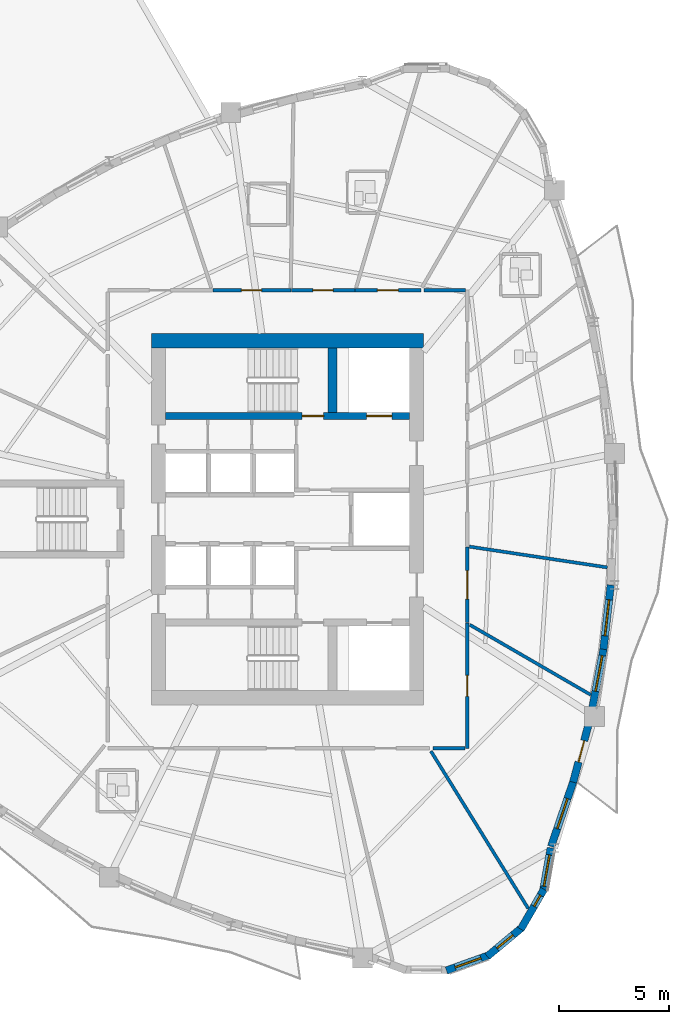
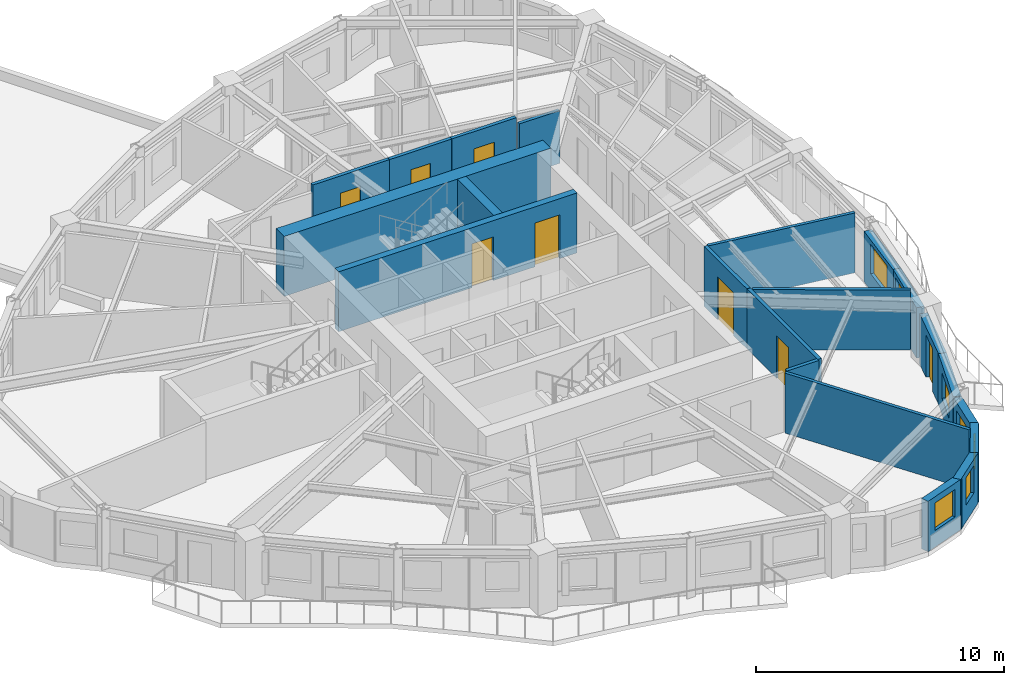
# One storey, part 6 of 13: 21 walls, 8 doors, 7 windows, 15 openings.
"""IFC4 building model written with IfcOpenShell, lengths in metres."""

from ifc_helpers import new_model, si_unit, direction, frame, frame_2d, origin, place, context, subcontext, project, spatial, rectangle, extrude, source, transform, mapped, material, layer, layer_set, type_object, element, fill, save


model = new_model("IFC4")

# Units and contexts
model_context = context("Model", 3, precision=1e-05, world=origin(), true_north=direction((0.0, 1.0)))
body_context = subcontext(model_context, "Body", "Model", "MODEL_VIEW")
ifc_project = project(units=[si_unit("LENGTHUNIT", "METRE"), si_unit("AREAUNIT", "SQUARE_METRE"), si_unit("VOLUMEUNIT", "CUBIC_METRE"), si_unit("PLANEANGLEUNIT", "RADIAN"), si_unit("MASSUNIT", "GRAM", prefix="KILO")], contexts=[model_context])

# Site, building, storey
site_placement = place(None, origin())
site = spatial("IfcSite", under=ifc_project, at=site_placement, CompositionType="ELEMENT")
building_placement = place(site_placement, origin())
building = spatial("IfcBuilding", under=site, at=building_placement, Name="Qafzar Sky-Pleat Residences", CompositionType="ELEMENT")
storey_placement = place(building_placement, frame((0.0, 0.0, 89.60009765625)))
storey = spatial("IfcBuildingStorey", under=building, at=storey_placement, Name="L26", CompositionType="ELEMENT", Elevation=89.60009765625)

# Wall, opening, door
ifc_material_1 = material(Name="Acoustic gypsum plasterboard partition", Category="gypsum")
ifc_layer_1 = layer(ifc_material_1, 0.159912109375)
ifc_layer_set_1 = layer_set([ifc_layer_1], Name="Acoustic gypsum plasterboard partition")
wall_type_1 = type_object("IfcWallType", Name="PART-COR-160", PredefinedType="PARTITIONING", material=ifc_layer_set_1)
wall_1_placement = place(storey_placement, frame((38.530029296875, 21.281005859375, 0.0), z_axis=(0.0, 0.0, 1.0), x_axis=(0.0, -1.0, 0.0)))
wall_1 = element("IfcWall", 1, at=wall_1_placement, inside=storey, type_object=wall_type_1, Name="L26 Partition Wall PART-L26-PW-002", PredefinedType="PARTITIONING", context=body_context, shape_type="SweptSolid", body=[
    extrude(rectangle(XDim=5.7109375, YDim=0.159912109375, at=frame_2d((2.85546875, 0.0))), origin(), (0.0, 0.0, 1.0), 2.949951171875),
])
opening_1_placement = place(wall_1_placement, frame((2.384033203125, 0.0, 0.0)))
opening_1 = element("IfcOpeningElement", 2, at=opening_1_placement, cuts=wall_1, Name="Opening ID-06", PredefinedType="OPENING", context=body_context, shape_type="SweptSolid", body=[
    extrude(rectangle(XDim=0.9599609375, YDim=2.10009765625, at=frame_2d((0.47998046875, 1.050048828125))), frame((0.0, 0.08984375, 0.0), z_axis=(0.0, -1.0, 0.0), x_axis=(1.0, 0.0, 0.0)), (0.0, 0.0, 1.0), 0.179931640625),
])
ifc_material_2 = material(Name="Timber-faced fire door", Category="wood")
door_type_1 = type_object("IfcDoorType", Name="DR-STD-960", OperationType="NOTDEFINED", PredefinedType="DOOR", material=ifc_material_2)
shared_shape_1 = source(origin(), body_context, "Body", "SweptSolid", [
    extrude(rectangle(XDim=0.9599609375, YDim=2.10009765625, at=frame_2d((0.47998046875, 1.050048828125))), frame((0.0, 0.02490234375, 0.0), z_axis=(0.0, -1.0, 0.0), x_axis=(1.0, 0.0, 0.0)), (0.0, 0.0, 1.0), 0.050048828125),
])
door_1_placement = place(opening_1_placement, origin())
door_1 = element("IfcDoor", 3, at=door_1_placement, inside=storey, type_object=door_type_1, Name="L26 Faculty Research Office Door", OperationType="SINGLE_SWING_RIGHT", OverallHeight=2.10009765625, OverallWidth=0.9599609375, PredefinedType="DOOR", context=body_context, shape_type="MappedRepresentation", body=[
    mapped(shared_shape_1, transform((0.0, 0.0, 0.0), x_axis=(1.0, 0.0, 0.0), y_axis=(0.0, 1.0, 0.0), z_axis=(0.0, 0.0, 1.0), scale=1.0)),
])
fill(opening_1, door_1)

wall_2_placement = place(storey_placement, frame((26.951904296875, 36.429931640625, 0.0), z_axis=(0.0, 0.0, 1.0), x_axis=(1.0, 0.0, 0.0)))
wall_2 = element("IfcWall", 4, at=wall_2_placement, inside=storey, type_object=wall_type_1, Name="L26 Partition Wall PART-L26-PW-010", PredefinedType="PARTITIONING", context=body_context, shape_type="SweptSolid", body=[
    extrude(rectangle(XDim=3.56201171875, YDim=0.159912109375, at=frame_2d((1.781005859375, 0.0))), origin(), (0.0, 0.0, 1.0), 2.949951171875),
])
opening_2_placement = place(wall_2_placement, frame((1.298095703125, 0.0, 0.0)))
opening_2 = element("IfcOpeningElement", 5, at=opening_2_placement, cuts=wall_2, Name="Opening ID-04", PredefinedType="OPENING", context=body_context, shape_type="SweptSolid", body=[
    extrude(rectangle(XDim=0.919921875, YDim=2.10009765625, at=frame_2d((0.4599609375, 1.050048828125))), frame((0.0, 0.08984375, 0.0), z_axis=(0.0, -1.0, 0.0), x_axis=(1.0, 0.0, 0.0)), (0.0, 0.0, 1.0), 0.179931640625),
])
door_type_2 = type_object("IfcDoorType", Name="DR-BED-920", OperationType="NOTDEFINED", PredefinedType="DOOR", material=ifc_material_2)
shared_shape_2 = source(origin(), body_context, "Body", "SweptSolid", [
    extrude(rectangle(XDim=0.919921875, YDim=2.10009765625, at=frame_2d((0.4599609375, 1.050048828125))), frame((0.0, 0.02490234375, 0.0), z_axis=(0.0, -1.0, 0.0), x_axis=(1.0, 0.0, 0.0)), (0.0, 0.0, 1.0), 0.050048828125),
])
door_2_placement = place(opening_2_placement, origin())
door_2 = element("IfcDoor", 6, at=door_2_placement, inside=storey, type_object=door_type_2, Name="L26 Co-Living Bedroom 4 Door", OperationType="SINGLE_SWING_RIGHT", OverallHeight=2.10009765625, OverallWidth=0.919921875, PredefinedType="DOOR", context=body_context, shape_type="MappedRepresentation", body=[
    mapped(shared_shape_2, transform((0.0, 0.0, 0.0), x_axis=(1.0, 0.0, 0.0), y_axis=(0.0, 1.0, 0.0), z_axis=(0.0, 0.0, 1.0), scale=1.0)),
])
fill(opening_2, door_2)

wall_3_placement = place(storey_placement, frame((38.530029296875, 24.738037109375, 0.0), z_axis=(0.0, 0.0, 1.0), x_axis=(0.0, -1.0, 0.0)))
wall_3 = element("IfcWall", 7, at=wall_3_placement, inside=storey, type_object=wall_type_1, Name="L26 Partition Wall PART-L26-PW-011", PredefinedType="PARTITIONING", context=body_context, shape_type="SweptSolid", body=[
    extrude(rectangle(XDim=3.442138671875, YDim=0.159912109375, at=frame_2d((1.72119140625, 0.0))), origin(), (0.0, 0.0, 1.0), 2.949951171875),
])
opening_3_placement = place(wall_3_placement, frame((1.072021484375, 0.0, 0.0)))
opening_3 = element("IfcOpeningElement", 8, at=opening_3_placement, cuts=wall_3, Name="Opening ID-05", PredefinedType="OPENING", context=body_context, shape_type="SweptSolid", body=[
    extrude(rectangle(XDim=1.300048828125, YDim=2.10009765625, at=frame_2d((0.64990234375, 1.050048828125))), frame((0.0, 0.08984375, 0.0), z_axis=(0.0, -1.0, 0.0), x_axis=(1.0, 0.0, 0.0)), (0.0, 0.0, 1.0), 0.179931640625),
])
door_type_3 = type_object("IfcDoorType", Name="DR-LNG-1300", OperationType="DOUBLE_DOOR_SINGLE_SWING", PredefinedType="DOOR", material=ifc_material_2)
shared_shape_3 = source(origin(), body_context, "Body", "SweptSolid", [
    extrude(rectangle(XDim=1.300048828125, YDim=2.10009765625, at=frame_2d((0.64990234375, 1.050048828125))), frame((0.0, 0.02490234375, 0.0), z_axis=(0.0, -1.0, 0.0), x_axis=(1.0, 0.0, 0.0)), (0.0, 0.0, 1.0), 0.050048828125),
])
door_3_placement = place(opening_3_placement, origin())
door_3 = element("IfcDoor", 9, at=door_3_placement, inside=storey, type_object=door_type_3, Name="L26 Communal Kitchen Door", OperationType="DOUBLE_DOOR_SINGLE_SWING", OverallHeight=2.10009765625, OverallWidth=1.300048828125, PredefinedType="DOOR", context=body_context, shape_type="MappedRepresentation", body=[
    mapped(shared_shape_3, transform((0.0, 0.0, 0.0), x_axis=(1.0, 0.0, 0.0), y_axis=(0.0, 1.0, 0.0), z_axis=(0.0, 0.0, 1.0), scale=1.0)),
])
fill(opening_3, door_3)

wall_4_placement = place(storey_placement, frame((33.427978515625, 36.429931640625, 0.0), z_axis=(0.0, 0.0, 1.0), x_axis=(1.0, 0.0, 0.0)))
wall_4 = element("IfcWall", 10, at=wall_4_placement, inside=storey, type_object=wall_type_1, Name="L26 Partition Wall PART-L26-PW-012", PredefinedType="PARTITIONING", context=body_context, shape_type="SweptSolid", body=[
    extrude(rectangle(XDim=2.991943359375, YDim=0.159912109375, at=frame_2d((1.49609375, 0.0))), origin(), (0.0, 0.0, 1.0), 2.949951171875),
])
opening_4_placement = place(wall_4_placement, frame((1.015380859375, 0.0, 0.0)))
opening_4 = element("IfcOpeningElement", 11, at=opening_4_placement, cuts=wall_4, Name="Opening ID-06", PredefinedType="OPENING", context=body_context, shape_type="SweptSolid", body=[
    extrude(rectangle(XDim=0.9599609375, YDim=2.10009765625, at=frame_2d((0.47998046875, 1.050048828125))), frame((0.0, 0.08984375, 0.0), z_axis=(0.0, -1.0, 0.0), x_axis=(1.0, 0.0, 0.0)), (0.0, 0.0, 1.0), 0.179931640625),
])
door_4_placement = place(opening_4_placement, origin())
door_4 = element("IfcDoor", 12, at=door_4_placement, inside=storey, type_object=door_type_1, Name="L26 Reading Library Door", OperationType="SINGLE_SWING_LEFT", OverallHeight=2.10009765625, OverallWidth=0.9599609375, PredefinedType="DOOR", context=body_context, shape_type="MappedRepresentation", body=[
    mapped(shared_shape_1, transform((0.0, 0.0, 0.0), x_axis=(1.0, 0.0, 0.0), y_axis=(0.0, 1.0, 0.0), z_axis=(0.0, 0.0, 1.0), scale=1.0)),
])
fill(opening_4, door_4)

wall_5_placement = place(storey_placement, frame((30.529052734375, 36.429931640625, 0.0), z_axis=(0.0, 0.0, 1.0), x_axis=(1.0, 0.0, 0.0)))
wall_5 = element("IfcWall", 13, at=wall_5_placement, inside=storey, type_object=wall_type_1, Name="L26 Partition Wall PART-L26-PW-013", PredefinedType="PARTITIONING", context=body_context, shape_type="SweptSolid", body=[
    extrude(rectangle(XDim=2.884033203125, YDim=0.159912109375, at=frame_2d((1.44189453125, 0.0))), origin(), (0.0, 0.0, 1.0), 2.949951171875),
])
opening_5_placement = place(wall_5_placement, frame((0.982421875, 0.0, 0.0)))
opening_5 = element("IfcOpeningElement", 14, at=opening_5_placement, cuts=wall_5, Name="Opening ID-04", PredefinedType="OPENING", context=body_context, shape_type="SweptSolid", body=[
    extrude(rectangle(XDim=0.919921875, YDim=2.10009765625, at=frame_2d((0.4599609375, 1.050048828125))), frame((0.0, 0.08984375, 0.0), z_axis=(0.0, -1.0, 0.0), x_axis=(1.0, 0.0, 0.0)), (0.0, 0.0, 1.0), 0.179931640625),
])
door_5_placement = place(opening_5_placement, origin())
door_5 = element("IfcDoor", 15, at=door_5_placement, inside=storey, type_object=door_type_2, Name="L26 Co-Living Bedroom 3 Door", OperationType="SINGLE_SWING_RIGHT", OverallHeight=2.10009765625, OverallWidth=0.919921875, PredefinedType="DOOR", context=body_context, shape_type="MappedRepresentation", body=[
    mapped(shared_shape_2, transform((0.0, 0.0, 0.0), x_axis=(1.0, 0.0, 0.0), y_axis=(0.0, 1.0, 0.0), z_axis=(0.0, 0.0, 1.0), scale=1.0)),
])
fill(opening_5, door_5)

# Walls
wall_6_placement = place(storey_placement, frame((36.5732421875, 36.429931640625, 0.0), z_axis=(0.0, 0.0, 1.0), x_axis=(1.0, 0.0, 0.0)))
element("IfcWall", 16, at=wall_6_placement, inside=storey, type_object=wall_type_1, Name="L26 Partition Wall PART-L26-PW-041", PredefinedType="PARTITIONING", context=body_context, shape_type="SweptSolid", body=[
    extrude(rectangle(XDim=1.86865234375, YDim=0.159912109375, at=frame_2d((0.934326171875, 0.0))), origin(), (0.0, 0.0, 1.0), 2.587890625),
])
wall_7_placement = place(storey_placement, frame((36.976806640625, 15.570068359375, 0.0), z_axis=(0.0, 0.0, 1.0), x_axis=(1.0, 0.0, 0.0)))
element("IfcWall", 17, at=wall_7_placement, inside=storey, type_object=wall_type_1, Name="L26 Partition Wall PART-L26-PW-052", PredefinedType="PARTITIONING", context=body_context, shape_type="SweptSolid", body=[
    extrude(rectangle(XDim=1.465087890625, YDim=0.159912109375, at=frame_2d((0.732421875, 0.0))), origin(), (0.0, 0.0, 1.0), 2.949951171875),
])
ifc_layer_2 = layer(ifc_material_1, 0.14501953125)
ifc_layer_set_2 = layer_set([ifc_layer_2], Name="Acoustic gypsum plasterboard partition")
wall_type_2 = type_object("IfcWallType", Name="PART-UNIT-145", PredefinedType="PARTITIONING", material=ifc_layer_set_2)
wall_8_placement = place(storey_placement, frame((36.87841796875, 15.445068359375, 0.0), z_axis=(0.0, 0.0, 1.0), x_axis=(0.526001305793, -0.850483760165, 0.0)))
element("IfcWall", 18, at=wall_8_placement, inside=storey, type_object=wall_type_2, Name="L26 Partition Wall PART-L26-PW-026", PredefinedType="PARTITIONING", context=body_context, shape_type="SweptSolid", body=[
    extrude(rectangle(XDim=8.42236328125, YDim=0.14501953125, at=frame_2d((4.211181640625, 0.0))), origin(), (0.0, 0.0, 1.0), 2.949951171875),
])
wall_9_placement = place(storey_placement, frame((38.6533203125, 21.192626953125, 0.0), z_axis=(0.0, 0.0, 1.0), x_axis=(0.865364941279, -0.501142213753, 0.0)))
element("IfcWall", 19, at=wall_9_placement, inside=storey, type_object=wall_type_2, Name="L26 Partition Wall PART-L26-PW-034", PredefinedType="PARTITIONING", context=body_context, shape_type="SweptSolid", body=[
    extrude(rectangle(XDim=6.358642578125, YDim=0.14501953125, at=frame_2d((3.17919921875, 0.0))), origin(), (0.0, 0.0, 1.0), 2.949951171875),
])
wall_10_placement = place(storey_placement, frame((38.628662109375, 24.753173828125, 0.0), z_axis=(0.0, 0.0, 1.0), x_axis=(0.988841427723, -0.148971912852, 0.0)))
element("IfcWall", 20, at=wall_10_placement, inside=storey, type_object=wall_type_2, Name="L26 Partition Wall PART-L26-PW-035", PredefinedType="PARTITIONING", context=body_context, shape_type="SweptSolid", body=[
    extrude(rectangle(XDim=6.35205078125, YDim=0.14501953125, at=frame_2d((3.176025390625, 0.0))), origin(), (0.0, 0.0, 1.0), 2.949951171875),
])

# Wall, opening, window
ifc_material_3 = material(Name="Precast concrete C40/50 with honed Riyadh limestone", Category="concrete")
ifc_layer_3 = layer(ifc_material_3, 0.340087890625)
ifc_layer_set_3 = layer_set([ifc_layer_3], Name="Precast concrete C40/50 with honed Riyadh limestone")
wall_type_3 = type_object("IfcWallType", Name="WALL-EXT-340", PredefinedType="SOLIDWALL", material=ifc_layer_set_3)
wall_11_placement = place(storey_placement, frame((37.58447265625, 5.458251953125, 0.0), z_axis=(0.0, 0.0, 1.0), x_axis=(0.941473186867, 0.33708787936, 0.0)))
wall_11 = element("IfcWall", 21, at=wall_11_placement, inside=storey, type_object=wall_type_3, Name="L26 Limestone Facade Wall 19", PredefinedType="SOLIDWALL", context=body_context, shape_type="SweptSolid", body=[
    extrude(rectangle(XDim=2.098876953125, YDim=0.340087890625, at=frame_2d((1.04931640625, 0.0))), origin(), (0.0, 0.0, 1.0), 2.47998046875),
])
opening_6_placement = place(wall_11_placement, frame((0.424560546875, 0.0, 0.820068359375)))
opening_6 = element("IfcOpeningElement", 22, at=opening_6_placement, cuts=wall_11, Name="Opening WN-11", PredefinedType="OPENING", context=body_context, shape_type="SweptSolid", body=[
    extrude(rectangle(XDim=1.25, YDim=1.35009765625, at=frame_2d((0.625, 0.675048828125))), frame((0.0, 0.18017578125, 0.0), z_axis=(0.0, -1.0, 0.0), x_axis=(1.0, 0.0, 0.0)), (0.0, 0.0, 1.0), 0.360107421875),
])
ifc_material_4 = material(Name="Solar-control low-E glass in bronze aluminium frame", Category="glass")
window_type_1 = type_object("IfcWindowType", Name="WIN-11", PartitioningType="SINGLE_PANEL", PredefinedType="WINDOW", material=ifc_material_4)
shared_shape_4 = source(origin(), body_context, "Body", "SweptSolid", [
    extrude(rectangle(XDim=1.25, YDim=1.35009765625, at=frame_2d((0.625, 0.675048828125))), frame((0.0, 0.030029296875, 0.0), z_axis=(0.0, -1.0, 0.0), x_axis=(1.0, 0.0, 0.0)), (0.0, 0.0, 1.0), 0.06005859375),
])
window_1_placement = place(opening_6_placement, origin())
window_1 = element("IfcWindow", 23, at=window_1_placement, inside=storey, type_object=window_type_1, Name="L26 Punched Facade Window 19", OverallHeight=1.35009765625, OverallWidth=1.25, PartitioningType="SINGLE_PANEL", PredefinedType="WINDOW", context=body_context, shape_type="MappedRepresentation", body=[
    mapped(shared_shape_4, transform((0.0, 0.0, 0.0), x_axis=(1.0, 0.0, 0.0), y_axis=(0.0, 1.0, 0.0), z_axis=(0.0, 0.0, 1.0), scale=1.0)),
])
fill(opening_6, window_1)

wall_12_placement = place(storey_placement, frame((39.444091796875, 6.09912109375, 0.0), z_axis=(0.0, 0.0, 1.0), x_axis=(0.768497696041, 0.639852554249, 0.0)))
wall_12 = element("IfcWall", 24, at=wall_12_placement, inside=storey, type_object=wall_type_3, Name="L26 Limestone Facade Wall 20", PredefinedType="SOLIDWALL", context=body_context, shape_type="SweptSolid", body=[
    extrude(rectangle(XDim=2.098876953125, YDim=0.340087890625, at=frame_2d((1.04931640625, 0.0))), origin(), (0.0, 0.0, 1.0), 2.47998046875),
])
opening_7_placement = place(wall_12_placement, frame((0.574462890625, 0.0, 0.820068359375)))
opening_7 = element("IfcOpeningElement", 25, at=opening_7_placement, cuts=wall_12, Name="Opening WN-12", PredefinedType="OPENING", context=body_context, shape_type="SweptSolid", body=[
    extrude(rectangle(XDim=0.949951171875, YDim=1.35009765625, at=frame_2d((0.47509765625, 0.675048828125))), frame((0.0, 0.18017578125, 0.0), z_axis=(0.0, -1.0, 0.0), x_axis=(1.0, 0.0, 0.0)), (0.0, 0.0, 1.0), 0.360107421875),
])
window_type_2 = type_object("IfcWindowType", Name="WIN-12", PartitioningType="SINGLE_PANEL", PredefinedType="WINDOW", material=ifc_material_4)
shared_shape_5 = source(origin(), body_context, "Body", "SweptSolid", [
    extrude(rectangle(XDim=0.949951171875, YDim=1.35009765625, at=frame_2d((0.47509765625, 0.675048828125))), frame((0.0, 0.030029296875, 0.0), z_axis=(0.0, -1.0, 0.0), x_axis=(1.0, 0.0, 0.0)), (0.0, 0.0, 1.0), 0.06005859375),
])
window_2_placement = place(opening_7_placement, origin())
window_2 = element("IfcWindow", 26, at=window_2_placement, inside=storey, type_object=window_type_2, Name="L26 Punched Facade Window 20", OverallHeight=1.35009765625, OverallWidth=0.949951171875, PartitioningType="SINGLE_PANEL", PredefinedType="WINDOW", context=body_context, shape_type="MappedRepresentation", body=[
    mapped(shared_shape_5, transform((0.0, 0.0, 0.0), x_axis=(1.0, 0.0, 0.0), y_axis=(0.0, 1.0, 0.0), z_axis=(0.0, 0.0, 1.0), scale=1.0)),
])
fill(opening_7, window_2)

wall_13_placement = place(storey_placement, frame((40.970703125, 7.339599609375, 0.0), z_axis=(0.0, 0.0, 1.0), x_axis=(0.501902596059, 0.864924149315, 0.0)))
wall_13 = element("IfcWall", 27, at=wall_13_placement, inside=storey, type_object=wall_type_3, Name="L26 Limestone Facade Wall 21", PredefinedType="SOLIDWALL", context=body_context, shape_type="SweptSolid", body=[
    extrude(rectangle(XDim=2.098876953125, YDim=0.340087890625, at=frame_2d((1.04931640625, 0.0))), origin(), (0.0, 0.0, 1.0), 2.47998046875),
])
opening_8_placement = place(wall_13_placement, frame((1.206298828125, 0.0, 0.820068359375)))
opening_8 = element("IfcOpeningElement", 28, at=opening_8_placement, cuts=wall_13, Name="Opening WN-17", PredefinedType="OPENING", context=body_context, shape_type="SweptSolid", body=[
    extrude(rectangle(XDim=0.580078125, YDim=1.35009765625, at=frame_2d((0.2900390625, 0.675048828125))), frame((0.0, 0.18017578125, 0.0), z_axis=(0.0, -1.0, 0.0), x_axis=(1.0, 0.0, 0.0)), (0.0, 0.0, 1.0), 0.360107421875),
])
window_type_3 = type_object("IfcWindowType", Name="WIN-17", PartitioningType="SINGLE_PANEL", PredefinedType="WINDOW", material=ifc_material_4)
shared_shape_6 = source(origin(), body_context, "Body", "SweptSolid", [
    extrude(rectangle(XDim=0.580078125, YDim=1.35009765625, at=frame_2d((0.2900390625, 0.675048828125))), frame((0.0, 0.030029296875, 0.0), z_axis=(0.0, -1.0, 0.0), x_axis=(1.0, 0.0, 0.0)), (0.0, 0.0, 1.0), 0.06005859375),
])
window_3_placement = place(opening_8_placement, origin())
window_3 = element("IfcWindow", 29, at=window_3_placement, inside=storey, type_object=window_type_3, Name="L26 Punched Facade Window 21-2", OverallHeight=1.35009765625, OverallWidth=0.580078125, PartitioningType="SINGLE_PANEL", PredefinedType="WINDOW", context=body_context, shape_type="MappedRepresentation", body=[
    mapped(shared_shape_6, transform((0.0, 0.0, 0.0), x_axis=(1.0, 0.0, 0.0), y_axis=(0.0, 1.0, 0.0), z_axis=(0.0, 0.0, 1.0), scale=1.0)),
])
fill(opening_8, window_3)

wall_14_placement = place(storey_placement, frame((41.978271484375, 9.029052734375, 0.0), z_axis=(0.0, 0.0, 1.0), x_axis=(0.174283452483, 0.984695525627, 0.0)))
wall_14 = element("IfcWall", 30, at=wall_14_placement, inside=storey, type_object=wall_type_3, Name="L26 Limestone Facade Wall 22", PredefinedType="SOLIDWALL", context=body_context, shape_type="SweptSolid", body=[
    extrude(rectangle(XDim=2.041015625, YDim=0.340087890625, at=frame_2d((1.0205078125, 0.0))), origin(), (0.0, 0.0, 1.0), 2.47998046875),
])
opening_9_placement = place(wall_14_placement, frame((0.265380859375, 0.0, 0.820068359375)))
opening_9 = element("IfcOpeningElement", 31, at=opening_9_placement, cuts=wall_14, Name="Opening WN-15", PredefinedType="OPENING", context=body_context, shape_type="SweptSolid", body=[
    extrude(rectangle(XDim=1.449951171875, YDim=1.25, at=frame_2d((0.72509765625, 0.625))), frame((0.0, 0.18017578125, 0.0), z_axis=(0.0, -1.0, 0.0), x_axis=(1.0, 0.0, 0.0)), (0.0, 0.0, 1.0), 0.360107421875),
])
window_type_4 = type_object("IfcWindowType", Name="WIN-15", PartitioningType="SINGLE_PANEL", PredefinedType="WINDOW", material=ifc_material_4)
shared_shape_7 = source(origin(), body_context, "Body", "SweptSolid", [
    extrude(rectangle(XDim=1.449951171875, YDim=1.25, at=frame_2d((0.72509765625, 0.625))), frame((0.0, 0.030029296875, 0.0), z_axis=(0.0, -1.0, 0.0), x_axis=(1.0, 0.0, 0.0)), (0.0, 0.0, 1.0), 0.06005859375),
])
window_4_placement = place(opening_9_placement, origin())
window_4 = element("IfcWindow", 32, at=window_4_placement, inside=storey, type_object=window_type_4, Name="L26 Punched Facade Window 22", OverallHeight=1.25, OverallWidth=1.449951171875, PartitioningType="SINGLE_PANEL", PredefinedType="WINDOW", context=body_context, shape_type="MappedRepresentation", body=[
    mapped(shared_shape_7, transform((0.0, 0.0, 0.0), x_axis=(1.0, 0.0, 0.0), y_axis=(0.0, 1.0, 0.0), z_axis=(0.0, 0.0, 1.0), scale=1.0)),
])
fill(opening_9, window_4)

wall_15_placement = place(storey_placement, frame((42.3505859375, 11.102783203125, 0.0), z_axis=(0.0, 0.0, 1.0), x_axis=(0.323582854182, 0.946199839611, 0.0)))
wall_15 = element("IfcWall", 33, at=wall_15_placement, inside=storey, type_object=wall_type_3, Name="L26 Limestone Facade Wall 23", PredefinedType="SOLIDWALL", context=body_context, shape_type="SweptSolid", body=[
    extrude(rectangle(XDim=3.182373046875, YDim=0.340087890625, at=frame_2d((1.59130859375, 0.0))), origin(), (0.0, 0.0, 1.0), 2.47998046875),
])
opening_10_placement = place(wall_15_placement, frame((0.856201171875, 0.0, 0.820068359375)))
opening_10 = element("IfcOpeningElement", 34, at=opening_10_placement, cuts=wall_15, Name="Opening WN-15", PredefinedType="OPENING", context=body_context, shape_type="SweptSolid", body=[
    extrude(rectangle(XDim=1.449951171875, YDim=1.25, at=frame_2d((0.72509765625, 0.625))), frame((0.0, 0.18017578125, 0.0), z_axis=(0.0, -1.0, 0.0), x_axis=(1.0, 0.0, 0.0)), (0.0, 0.0, 1.0), 0.360107421875),
])
window_5_placement = place(opening_10_placement, origin())
window_5 = element("IfcWindow", 35, at=window_5_placement, inside=storey, type_object=window_type_4, Name="L26 Punched Facade Window 23", OverallHeight=1.25, OverallWidth=1.449951171875, PartitioningType="SINGLE_PANEL", PredefinedType="WINDOW", context=body_context, shape_type="MappedRepresentation", body=[
    mapped(shared_shape_7, transform((0.0, 0.0, 0.0), x_axis=(1.0, 0.0, 0.0), y_axis=(0.0, 1.0, 0.0), z_axis=(0.0, 0.0, 1.0), scale=1.0)),
])
fill(opening_10, window_5)

# Wall, opening, door
wall_16_placement = place(storey_placement, frame((43.35498046875, 14.030029296875, 0.0), z_axis=(0.0, 0.0, 1.0), x_axis=(0.257056088809, 0.96639648551, 0.0)))
wall_16 = element("IfcWall", 36, at=wall_16_placement, inside=storey, type_object=wall_type_3, Name="L26 Limestone Facade Wall 24", PredefinedType="SOLIDWALL", context=body_context, shape_type="SweptSolid", body=[
    extrude(rectangle(XDim=2.90625, YDim=0.340087890625, at=frame_2d((1.453125, 0.0))), origin(), (0.0, 0.0, 1.0), 2.47998046875),
])
opening_11_placement = place(wall_16_placement, frame((0.953125, 0.0, 0.0)))
opening_11 = element("IfcOpeningElement", 37, at=opening_11_placement, cuts=wall_16, Name="Opening ED-05", PredefinedType="OPENING", context=body_context, shape_type="SweptSolid", body=[
    extrude(rectangle(XDim=1.0, YDim=2.10009765625, at=frame_2d((0.5, 1.050048828125))), frame((0.0, 0.18017578125, 0.0), z_axis=(0.0, -1.0, 0.0), x_axis=(1.0, 0.0, 0.0)), (0.0, 0.0, 1.0), 0.360107421875),
])
ifc_material_5 = material(Name="Glazed bronze aluminium door", Category="aluminium")
door_type_4 = type_object("IfcDoorType", Name="DR-BAL-1000", OperationType="NOTDEFINED", PredefinedType="DOOR", material=ifc_material_5)
shared_shape_8 = source(origin(), body_context, "Body", "SweptSolid", [
    extrude(rectangle(XDim=1.0, YDim=2.10009765625, at=frame_2d((0.5, 1.050048828125))), frame((0.0, 0.02490234375, 0.0), z_axis=(0.0, -1.0, 0.0), x_axis=(1.0, 0.0, 0.0)), (0.0, 0.0, 1.0), 0.050048828125),
])
door_6_placement = place(opening_11_placement, origin())
door_6 = element("IfcDoor", 38, at=door_6_placement, inside=storey, type_object=door_type_4, Name="L26 Glazed Balcony Door 1", OperationType="SINGLE_SWING_LEFT", OverallHeight=2.10009765625, OverallWidth=1.0, PredefinedType="DOOR", context=body_context, shape_type="MappedRepresentation", body=[
    mapped(shared_shape_8, transform((0.0, 0.0, 0.0), x_axis=(1.0, 0.0, 0.0), y_axis=(0.0, 1.0, 0.0), z_axis=(0.0, 0.0, 1.0), scale=1.0)),
])
fill(opening_11, door_6)

# Wall, opening, window
wall_17_placement = place(storey_placement, frame((44.201416015625, 17.27490234375, 0.0), z_axis=(0.0, 0.0, 1.0), x_axis=(0.186703550023, 0.982416298933, 0.0)))
wall_17 = element("IfcWall", 39, at=wall_17_placement, inside=storey, type_object=wall_type_3, Name="L26 Limestone Facade Wall 25", PredefinedType="SOLIDWALL", context=body_context, shape_type="SweptSolid", body=[
    extrude(rectangle(XDim=2.85595703125, YDim=0.340087890625, at=frame_2d((1.427978515625, 0.0))), origin(), (0.0, 0.0, 1.0), 2.47998046875),
])
opening_12_placement = place(wall_17_placement, frame((0.9140625, 0.0, 0.820068359375)))
opening_12 = element("IfcOpeningElement", 40, at=opening_12_placement, cuts=wall_17, Name="Opening WN-02", PredefinedType="OPENING", context=body_context, shape_type="SweptSolid", body=[
    extrude(rectangle(XDim=1.64990234375, YDim=1.449951171875, at=frame_2d((0.824951171875, 0.72509765625))), frame((0.0, 0.18017578125, 0.0), z_axis=(0.0, -1.0, 0.0), x_axis=(1.0, 0.0, 0.0)), (0.0, 0.0, 1.0), 0.360107421875),
])
window_type_5 = type_object("IfcWindowType", Name="WIN-02", PartitioningType="DOUBLE_PANEL_VERTICAL", PredefinedType="WINDOW", material=ifc_material_4)
shared_shape_9 = source(origin(), body_context, "Body", "SweptSolid", [
    extrude(rectangle(XDim=1.64990234375, YDim=1.449951171875, at=frame_2d((0.824951171875, 0.72509765625))), frame((0.0, 0.030029296875, 0.0), z_axis=(0.0, -1.0, 0.0), x_axis=(1.0, 0.0, 0.0)), (0.0, 0.0, 1.0), 0.06005859375),
])
window_6_placement = place(opening_12_placement, origin())
window_6 = element("IfcWindow", 41, at=window_6_placement, inside=storey, type_object=window_type_5, Name="L26 Punched Facade Window 25-2", OverallHeight=1.449951171875, OverallWidth=1.64990234375, PartitioningType="SINGLE_PANEL", PredefinedType="WINDOW", context=body_context, shape_type="MappedRepresentation", body=[
    mapped(shared_shape_9, transform((0.0, 0.0, 0.0), x_axis=(1.0, 0.0, 0.0), y_axis=(0.0, 1.0, 0.0), z_axis=(0.0, 0.0, 1.0), scale=1.0)),
])
fill(opening_12, window_6)

wall_18_placement = place(storey_placement, frame((44.72119140625, 19.992919921875, 0.0), z_axis=(0.0, 0.0, 1.0), x_axis=(0.113224078967, 0.993569478165, 0.0)))
wall_18 = element("IfcWall", 42, at=wall_18_placement, inside=storey, type_object=wall_type_3, Name="L26 Limestone Facade Wall 26", PredefinedType="SOLIDWALL", context=body_context, shape_type="SweptSolid", body=[
    extrude(rectangle(XDim=3.03173828125, YDim=0.340087890625, at=frame_2d((1.515869140625, 0.0))), origin(), (0.0, 0.0, 1.0), 2.47998046875),
])
opening_13_placement = place(wall_18_placement, frame((0.70068359375, 0.0, 0.820068359375)))
opening_13 = element("IfcOpeningElement", 43, at=opening_13_placement, cuts=wall_18, Name="Opening WN-02", PredefinedType="OPENING", context=body_context, shape_type="SweptSolid", body=[
    extrude(rectangle(XDim=1.64990234375, YDim=1.449951171875, at=frame_2d((0.824951171875, 0.72509765625))), frame((0.0, 0.18017578125, 0.0), z_axis=(0.0, -1.0, 0.0), x_axis=(1.0, 0.0, 0.0)), (0.0, 0.0, 1.0), 0.360107421875),
])
window_7_placement = place(opening_13_placement, origin())
window_7 = element("IfcWindow", 44, at=window_7_placement, inside=storey, type_object=window_type_5, Name="L26 Punched Facade Window 26", OverallHeight=1.449951171875, OverallWidth=1.64990234375, PartitioningType="SINGLE_PANEL", PredefinedType="WINDOW", context=body_context, shape_type="MappedRepresentation", body=[
    mapped(shared_shape_9, transform((0.0, 0.0, 0.0), x_axis=(1.0, 0.0, 0.0), y_axis=(0.0, 1.0, 0.0), z_axis=(0.0, 0.0, 1.0), scale=1.0)),
])
fill(opening_13, window_7)

# Wall, openings, doors
ifc_material_6 = material(Name="Concrete C60/75", Category="concrete")
ifc_layer_4 = layer(ifc_material_6, 0.300048828125)
ifc_layer_set_4 = layer_set([ifc_layer_4], Name="Concrete C60/75")
wall_type_4 = type_object("IfcWallType", Name="WALL-SHEAR-300", PredefinedType="SHEAR", material=ifc_layer_set_4)
wall_19_placement = place(storey_placement, frame((24.800048828125, 30.699951171875, 0.0), z_axis=(0.0, 0.0, 1.0), x_axis=(1.0, 0.0, 0.0)))
wall_19 = element("IfcWall", 45, at=wall_19_placement, inside=storey, type_object=wall_type_4, Name="L26 Stair ST2 and FF2 Shaft South Wall", PredefinedType="SHEAR", context=body_context, shape_type="SweptSolid", body=[
    extrude(rectangle(XDim=11.099853515625, YDim=0.300048828125, at=frame_2d((5.5498046875, 0.0))), origin(), (0.0, 0.0, 1.0), 2.949951171875),
])
opening_14_placement = place(wall_19_placement, frame((6.219970703125, 0.0, 0.0)))
opening_14 = element("IfcOpeningElement", 46, at=opening_14_placement, cuts=wall_19, Name="Opening ID-01", PredefinedType="OPENING", context=body_context, shape_type="SweptSolid", body=[
    extrude(rectangle(XDim=0.97998046875, YDim=2.14990234375, at=frame_2d((0.489990234375, 1.074951171875))), frame((0.0, 0.16015625, 0.0), z_axis=(0.0, -1.0, 0.0), x_axis=(1.0, 0.0, 0.0)), (0.0, 0.0, 1.0), 0.320068359375),
])
opening_15_placement = place(wall_19_placement, frame((9.14990234375, 0.0, 0.0)))
opening_15 = element("IfcOpeningElement", 47, at=opening_15_placement, cuts=wall_19, Name="Opening LD-02", PredefinedType="OPENING", context=body_context, shape_type="SweptSolid", body=[
    extrude(rectangle(XDim=1.14990234375, YDim=2.14990234375, at=frame_2d((0.574951171875, 1.074951171875))), frame((0.0, 0.16015625, 0.0), z_axis=(0.0, -1.0, 0.0), x_axis=(1.0, 0.0, 0.0)), (0.0, 0.0, 1.0), 0.320068359375),
])
door_type_5 = type_object("IfcDoorType", Name="DR-STAIR-980", OperationType="NOTDEFINED", PredefinedType="DOOR", material=ifc_material_2)
shared_shape_10 = source(origin(), body_context, "Body", "SweptSolid", [
    extrude(rectangle(XDim=0.97998046875, YDim=2.14990234375, at=frame_2d((0.489990234375, 1.074951171875))), frame((0.0, 0.02490234375, 0.0), z_axis=(0.0, -1.0, 0.0), x_axis=(1.0, 0.0, 0.0)), (0.0, 0.0, 1.0), 0.050048828125),
])
door_7_placement = place(opening_14_placement, origin())
door_7 = element("IfcDoor", 48, at=door_7_placement, inside=storey, type_object=door_type_5, Name="L26 Stair ST2 Fire Door", OperationType="SINGLE_SWING_RIGHT", OverallHeight=2.14990234375, OverallWidth=0.97998046875, PredefinedType="DOOR", context=body_context, shape_type="MappedRepresentation", body=[
    mapped(shared_shape_10, transform((0.0, 0.0, 0.0), x_axis=(1.0, 0.0, 0.0), y_axis=(0.0, 1.0, 0.0), z_axis=(0.0, 0.0, 1.0), scale=1.0)),
])
fill(opening_14, door_7)
ifc_material_7 = material(Name="Stainless steel sliding landing door", Category="steel")
door_type_6 = type_object("IfcDoorType", Name="DR-LIFT-FF", OperationType="DOUBLE_DOOR_SLIDING", PredefinedType="DOOR", material=ifc_material_7)
shared_shape_11 = source(origin(), body_context, "Body", "SweptSolid", [
    extrude(rectangle(XDim=1.14990234375, YDim=2.14990234375, at=frame_2d((0.574951171875, 1.074951171875))), frame((0.0, 0.02490234375, 0.0), z_axis=(0.0, -1.0, 0.0), x_axis=(1.0, 0.0, 0.0)), (0.0, 0.0, 1.0), 0.050048828125),
])
door_8_placement = place(opening_15_placement, origin())
door_8 = element("IfcDoor", 49, at=door_8_placement, inside=storey, type_object=door_type_6, Name="L26 Firefighting Lift FF2 Landing Door", OperationType="DOUBLE_DOOR_SLIDING", OverallHeight=2.14990234375, OverallWidth=1.14990234375, PredefinedType="DOOR", context=body_context, shape_type="MappedRepresentation", body=[
    mapped(shared_shape_11, transform((0.0, 0.0, 0.0), x_axis=(1.0, 0.0, 0.0), y_axis=(0.0, 1.0, 0.0), z_axis=(0.0, 0.0, 1.0), scale=1.0)),
])
fill(opening_15, door_8)

# Walls
ifc_layer_5 = layer(ifc_material_6, 0.39990234375)
ifc_layer_set_5 = layer_set([ifc_layer_5], Name="Concrete C60/75")
wall_type_5 = type_object("IfcWallType", Name="WALL-SHEAR-400", PredefinedType="SHEAR", material=ifc_layer_set_5)
wall_20_placement = place(storey_placement, frame((32.39990234375, 30.85009765625, 0.0), z_axis=(0.0, 0.0, 1.0), x_axis=(0.0, 1.0, 0.0)))
element("IfcWall", 50, at=wall_20_placement, inside=storey, type_object=wall_type_5, Name="L26 Stair ST2 East Dividing Wall", PredefinedType="SHEAR", context=body_context, shape_type="SweptSolid", body=[
    extrude(rectangle(XDim=2.949951171875, YDim=0.39990234375, at=frame_2d((1.47509765625, 0.0))), origin(), (0.0, 0.0, 1.0), 2.949951171875),
])
ifc_layer_6 = layer(ifc_material_6, 0.64990234375)
ifc_layer_set_6 = layer_set([ifc_layer_6], Name="Concrete C60/75")
wall_type_6 = type_object("IfcWallType", Name="WALL-SHEAR-650", PredefinedType="SHEAR", material=ifc_layer_set_6)
wall_21_placement = place(storey_placement, frame((36.550048828125, 34.125, 0.0), z_axis=(0.0, 0.0, 1.0), x_axis=(-1.0, 0.0, 0.0)))
element("IfcWall", 51, at=wall_21_placement, inside=storey, type_object=wall_type_6, Name="L26 CORE wall N", PredefinedType="SHEAR", context=body_context, shape_type="SweptSolid", body=[
    extrude(rectangle(XDim=12.400146484375, YDim=0.64990234375, at=frame_2d((6.2001953125, 0.0))), origin(), (0.0, 0.0, 1.0), 2.949951171875),
])

save(model, "model.ifc")
